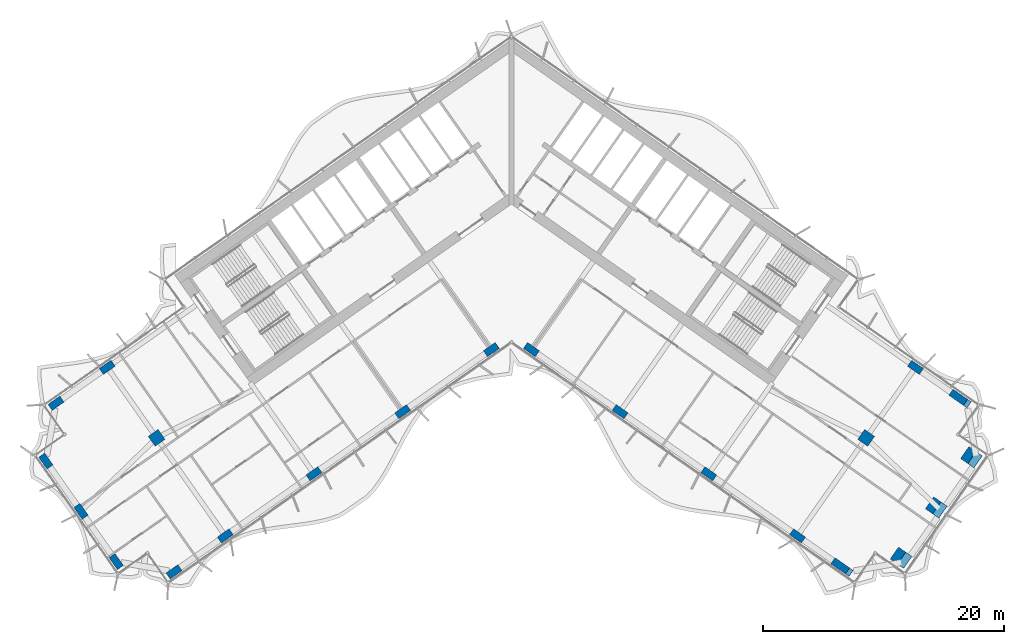
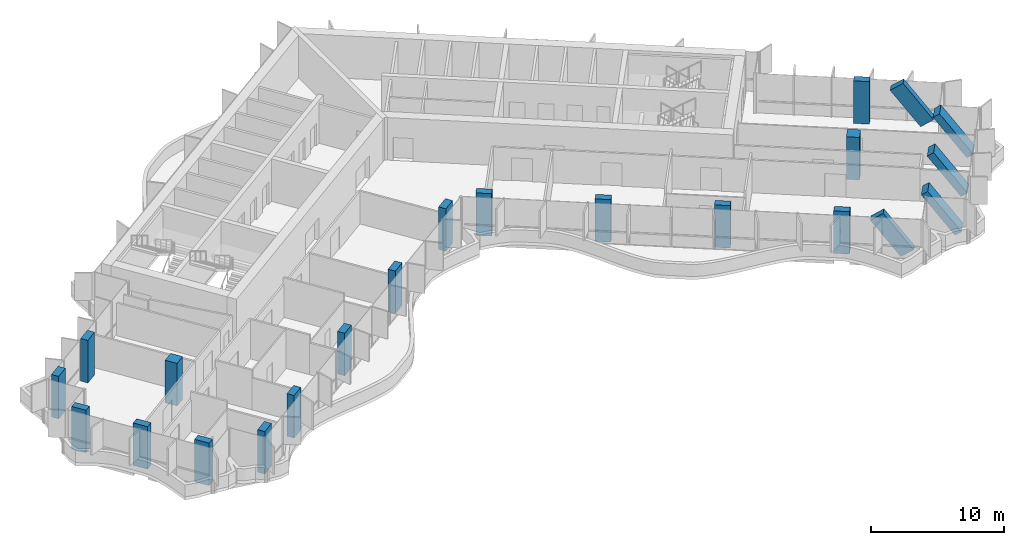
# One storey, part 1 of 21: 22 columns.
"""IFC4 building model written with IfcOpenShell, lengths in metres."""

from ifc_helpers import new_model, si_unit, direction, frame, origin, origin_2d, place, context, subcontext, project, spatial, rectangle, extrude, clip, halfspace, material, material_profile, profile_set, type_object, element, save


model = new_model("IFC4")

# Units and contexts
model_context = context("Model", 3, precision=1e-05, world=origin(), true_north=direction((0.0, 1.0)))
body_context = subcontext(model_context, "Body", "Model", "MODEL_VIEW")
ifc_project = project(units=[si_unit("LENGTHUNIT", "METRE"), si_unit("AREAUNIT", "SQUARE_METRE"), si_unit("VOLUMEUNIT", "CUBIC_METRE"), si_unit("PLANEANGLEUNIT", "RADIAN"), si_unit("MASSUNIT", "GRAM", prefix="KILO")], contexts=[model_context])

# Site, building, storey
site_placement = place(None, origin())
site = spatial("IfcSite", under=ifc_project, at=site_placement, CompositionType="ELEMENT")
building_placement = place(site_placement, origin())
building = spatial("IfcBuilding", under=site, at=building_placement, Name="Tel Ilan Convention Tower", CompositionType="ELEMENT")
storey_placement = place(building_placement, frame((0.0, 0.0, 139.800048828125)))
storey = spatial("IfcBuildingStorey", under=building, at=storey_placement, Name="L31", CompositionType="ELEMENT", Elevation=139.800048828125)

# Columns
ifc_material_1 = material(Name="Concrete C50/60", Category="concrete")
ifc_material_profile_1 = material_profile(ifc_material_1, rectangle(XDim=1.0, YDim=1.0, at=origin_2d()), Name="RC 1000x1000")
ifc_profile_set_1 = profile_set([ifc_material_profile_1], Name="Concrete C50/60")
column_type_1 = type_object("IfcColumnType", Name="Column RC 1000x1000 C50/60", PredefinedType="COLUMN", material=ifc_profile_set_1)
for number, where, z_axis, x_axis, name in (
    (1, (-29.489501953125, -20.648681640625, 0.0), (0.0, 0.0, 1.0), (-0.819152044289, -0.573576436351, 0.0), "L31 column W-M4"),
    (2, (29.489501953125, -20.648681640625, 0.0), (0.0, 0.0, 1.0), (0.819152044289, -0.573576436351, 0.0), "L31 column E-M4"),
):
    element("IfcColumn", number, at=place(storey_placement, frame(where, z_axis=z_axis, x_axis=x_axis)), inside=storey, type_object=column_type_1, Name=name, PredefinedType="COLUMN", context=body_context, shape_type="SweptSolid", body=[
        extrude(rectangle(XDim=1.0, YDim=1.0, at=origin_2d()), origin(), (0.0, 0.0, 1.0), 3.89990234375),
    ])
ifc_material_2 = material(Name="Concrete C50/60", Category="concrete")
ifc_material_profile_2 = material_profile(ifc_material_2, rectangle(XDim=1.199951171875, YDim=0.60009765625, at=origin_2d()), Name="RC 600x1200")
ifc_profile_set_2 = profile_set([ifc_material_profile_2], Name="Concrete C50/60")
column_type_2 = type_object("IfcColumnType", Name="Column RC 600x1200 C50/60", PredefinedType="COLUMN", material=ifc_profile_set_2)
for number, where, z_axis, x_axis, name in (
    (3, (-1.665283203125, -13.312744140625, 0.0), (0.0, 0.0, 1.0), (-0.819152044289, -0.573576436351, 0.0), "L31 column W-F1"),
    (4, (-9.03759765625, -18.474853515625, 0.0), (0.0, 0.0, 1.0), (-0.819152044289, -0.573576436351, 0.0), "L31 column W-F2"),
    (5, (-16.409912109375, -23.63720703125, 0.0), (0.0, 0.0, 1.0), (-0.819152044289, -0.573576436351, 0.0), "L31 column W-F3"),
    (6, (-23.782470703125, -28.79931640625, 0.0), (0.0, 0.0, 1.0), (-0.819152044289, -0.573576436351, 0.0), "L31 column W-F4"),
    (7, (-28.0419921875, -31.781982421875, 0.0), (0.0, 0.0, 1.0), (-0.819152044289, -0.573576436351, 0.0), "L31 column W-FC"),
    (8, (-33.590576171875, -14.791748046875, 0.0), (0.0, 0.0, 1.0), (-0.819152044289, -0.573576436351, 0.0), "L31 column W-B4"),
    (9, (-37.85009765625, -17.7744140625, 0.0), (0.0, 0.0, 1.0), (-0.819152044289, -0.573576436351, 0.0), "L31 column W-BC"),
    (10, (-32.846923828125, -30.934814453125, 0.0), (0.0, 0.0, 1.0), (-0.573576436351, 0.819152044289, 0.0), "L31 column W-E1"),
    (11, (-35.772216796875, -26.757080078125, 0.0), (0.0, 0.0, 1.0), (-0.573576436351, 0.819152044289, 0.0), "L31 column W-E2"),
    (12, (-38.697509765625, -22.579345703125, 0.0), (0.0, 0.0, 1.0), (-0.573576436351, 0.819152044289, 0.0), "L31 column W-E3"),
    (13, (1.665283203125, -13.312744140625, 0.0), (0.0, 0.0, 1.0), (0.819152044289, -0.573576436351, 0.0), "L31 column E-F1"),
    (14, (9.03759765625, -18.474853515625, 0.0), (0.0, 0.0, 1.0), (0.819152044289, -0.573576436351, 0.0), "L31 column E-F2"),
    (15, (16.409912109375, -23.63720703125, 0.0), (0.0, 0.0, 1.0), (0.819152044289, -0.573576436351, 0.0), "L31 column E-F3"),
    (16, (23.782470703125, -28.79931640625, 0.0), (0.0, 0.0, 1.0), (0.819152044289, -0.573576436351, 0.0), "L31 column E-F4"),
):
    element("IfcColumn", number, at=place(storey_placement, frame(where, z_axis=z_axis, x_axis=x_axis)), inside=storey, type_object=column_type_2, Name=name, PredefinedType="COLUMN", context=body_context, shape_type="SweptSolid", body=[
        extrude(rectangle(XDim=1.199951171875, YDim=0.60009765625, at=origin_2d()), origin(), (0.0, 0.0, 1.0), 3.89990234375),
    ])
column_1_placement = place(storey_placement, frame((28.0419921875, -31.78173828125, 0.0), z_axis=(-0.477746603964, 0.334466003579, 0.812336552699), x_axis=(0.665463644855, -0.465884977465, 0.583188927492)))
element("IfcColumn", 17, at=column_1_placement, inside=storey, type_object=column_type_2, Name="L31 column E-FC", PredefinedType="COLUMN", context=body_context, shape_type="Clipping", body=[
    clip(clip(extrude(rectangle(XDim=1.199951171875, YDim=0.60009765625, at=origin_2d()), origin(), (0.0, 0.0, 1.0), 4.801025390625), halfspace(frame((0.0, 0.0, 0.430908203125), z_axis=(0.0, 0.0, 1.0), x_axis=(1.0, 0.0, 0.0)), True)), halfspace(frame((0.0, 0.0, 4.370361328125), z_axis=(0.0, 0.0, 1.0), x_axis=(1.0, 0.0, 0.0)), False)),
])
column_2_placement = place(storey_placement, frame((33.590576171875, -14.791748046875, 0.0), z_axis=(0.0, 0.0, 1.0), x_axis=(0.819152044289, -0.573576436351, 0.0)))
element("IfcColumn", 18, at=column_2_placement, inside=storey, type_object=column_type_2, Name="L31 column E-B4", PredefinedType="COLUMN", context=body_context, shape_type="SweptSolid", body=[
    extrude(rectangle(XDim=1.199951171875, YDim=0.60009765625, at=origin_2d()), origin(), (0.0, 0.0, 1.0), 3.89990234375),
])
column_3_placement = place(storey_placement, frame((37.85009765625, -17.7744140625, 0.0), z_axis=(-0.477736700756, 0.334521041728, 0.812319713778), x_axis=(0.665409295045, -0.465933243566, 0.583212382077)))
element("IfcColumn", 19, at=column_3_placement, inside=storey, type_object=column_type_2, Name="L31 column E-BC", PredefinedType="COLUMN", context=body_context, shape_type="Clipping", body=[
    clip(clip(extrude(rectangle(XDim=1.199951171875, YDim=0.60009765625, at=origin_2d()), origin(), (0.0, 0.0, 1.0), 4.80126953125), halfspace(frame((0.0, 0.0, 0.430908203125), z_axis=(0.0, 0.0, 1.0), x_axis=(1.0, 0.0, 0.0)), True)), halfspace(frame((0.0, 0.0, 4.370361328125), z_axis=(0.0, 0.0, 1.0), x_axis=(1.0, 0.0, 0.0)), False)),
])
column_4_placement = place(storey_placement, frame((32.8466796875, -30.9345703125, 0.0), z_axis=(-0.477726386634, 0.334536966807, 0.812319221337), x_axis=(0.573610203854, 0.819128398991, 0.0)))
element("IfcColumn", 20, at=column_4_placement, inside=storey, type_object=column_type_2, Name="L31 column E-E1", PredefinedType="COLUMN", context=body_context, shape_type="Clipping", body=[
    clip(clip(extrude(rectangle(XDim=1.199951171875, YDim=0.60009765625, at=origin_2d()), origin(), (0.0, 0.0, 1.0), 4.80078125), halfspace(frame((0.0, 0.0, 0.21533203125), z_axis=(0.0, 0.0, 1.0), x_axis=(1.0, 0.0, 0.0)), True)), halfspace(frame((0.0, 0.0, 4.58544921875), z_axis=(0.0, 0.0, 1.0), x_axis=(1.0, 0.0, 0.0)), False)),
])
column_5_placement = place(storey_placement, frame((35.772216796875, -26.757080078125, 0.0), z_axis=(-0.477760573022, 0.334577651055, 0.812282358715), x_axis=(0.573629466203, 0.819114909829, 0.0)))
element("IfcColumn", 21, at=column_5_placement, inside=storey, type_object=column_type_2, Name="L31 column E-E2", PredefinedType="COLUMN", context=body_context, shape_type="Clipping", body=[
    clip(clip(extrude(rectangle(XDim=1.199951171875, YDim=0.60009765625, at=origin_2d()), origin(), (0.0, 0.0, 1.0), 4.801025390625), halfspace(frame((0.0, 0.0, 0.21533203125), z_axis=(0.0, 0.0, 1.0), x_axis=(1.0, 0.0, 0.0)), True)), halfspace(frame((0.0, 0.0, 4.58544921875), z_axis=(0.0, 0.0, 1.0), x_axis=(1.0, 0.0, 0.0)), False)),
])
column_6_placement = place(storey_placement, frame((38.697509765625, -22.579345703125, 0.0), z_axis=(-0.477769502493, 0.334528037995, 0.812297540488), x_axis=(0.573565197047, 0.819159914019, 0.0)))
element("IfcColumn", 22, at=column_6_placement, inside=storey, type_object=column_type_2, Name="L31 column E-E3", PredefinedType="COLUMN", context=body_context, shape_type="Clipping", body=[
    clip(clip(extrude(rectangle(XDim=1.199951171875, YDim=0.60009765625, at=origin_2d()), origin(), (0.0, 0.0, 1.0), 4.80078125), halfspace(frame((0.0, 0.0, 0.21533203125), z_axis=(0.0, 0.0, 1.0), x_axis=(1.0, 0.0, 0.0)), True)), halfspace(frame((0.0, 0.0, 4.58544921875), z_axis=(0.0, 0.0, 1.0), x_axis=(1.0, 0.0, 0.0)), False)),
])

save(model, "model.ifc")
